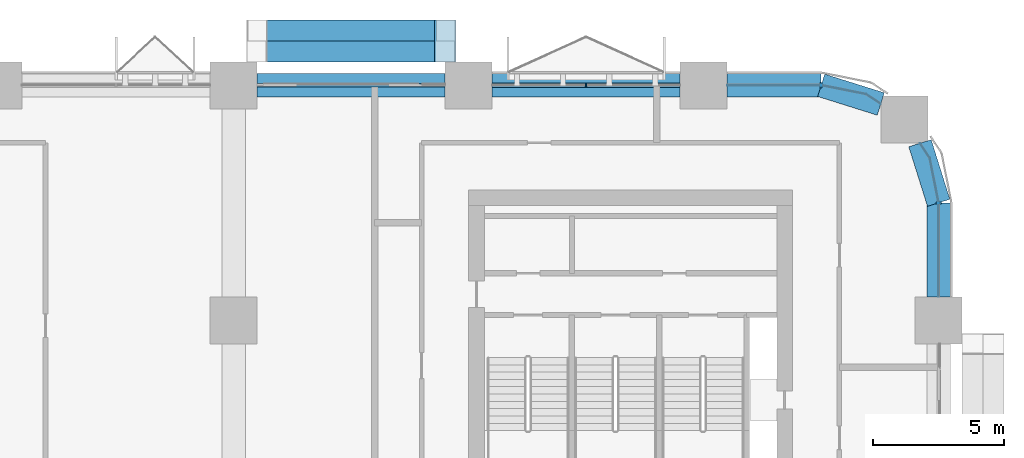
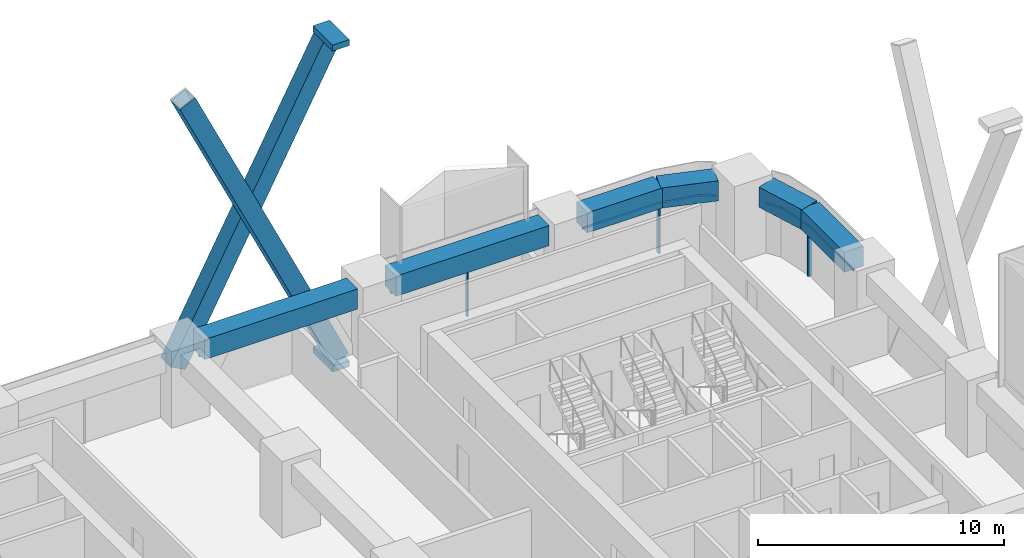
# One storey, part 10 of 26: 11 members, 6 beams, 4 elements without a shape of their own.
"""IFC4 building model written with IfcOpenShell, lengths in metres."""

from ifc_helpers import new_model, si_unit, direction, frame, origin, origin_2d, place, context, subcontext, project, spatial, polyline, rectangle, hollow_rectangle, outline, extrude, material, layer, layer_set, material_profile, profile_set, type_object, element, aggregate, save


model = new_model("IFC4")

# Units and contexts
model_context = context("Model", 3, precision=1e-05, world=origin(), true_north=direction((0.0, 1.0)))
body_context = subcontext(model_context, "Body", "Model", "MODEL_VIEW")
ifc_project = project(units=[si_unit("LENGTHUNIT", "METRE"), si_unit("AREAUNIT", "SQUARE_METRE"), si_unit("VOLUMEUNIT", "CUBIC_METRE"), si_unit("PLANEANGLEUNIT", "RADIAN"), si_unit("MASSUNIT", "GRAM", prefix="KILO")], contexts=[model_context])

# Site, building, storey
site_placement = place(None, origin())
site = spatial("IfcSite", under=ifc_project, at=site_placement, CompositionType="ELEMENT")
building_placement = place(site_placement, origin())
building = spatial("IfcBuilding", under=site, at=building_placement, Name="Tessera Arch", CompositionType="ELEMENT")
storey_placement = place(building_placement, frame((0.0, 0.0, 31.0)))
storey = spatial("IfcBuildingStorey", under=building, at=storey_placement, Name="L05", CompositionType="ELEMENT", Elevation=31.0)

# Members
ifc_material_1 = material(Name="Steel A572 Gr50", Category="steel")
ifc_material_profile_1 = material_profile(ifc_material_1, hollow_rectangle(XDim=0.800048828125, YDim=0.800048828125, WallThickness=0.06005859375, at=origin_2d()), Name="BOX 800x800x60")
ifc_profile_set_1 = profile_set([ifc_material_profile_1], Name="Steel A572 Gr50")
member_type_1 = type_object("IfcMemberType", Name="Brace BOX 800x800x60 Steel A572 Gr50", PredefinedType="BRACE", material=ifc_profile_set_1)
member_1_placement = place(storey_placement, frame((35.10009765625, 55.300048828125, -0.800048828125), z_axis=(-0.428096952335, 0.0, 0.903732814167), x_axis=(0.0, -1.0, 0.0)))
element("IfcMember", 1, at=member_1_placement, inside=storey, type_object=member_type_1, Name="Brace N54.0-2 A L05-L08", PredefinedType="BRACE", context=body_context, shape_type="SweptSolid", body=[
    extrude(hollow_rectangle(XDim=0.800048828125, YDim=0.800048828125, WallThickness=0.06005859375, at=origin_2d()), origin(), (0.0, 0.0, 1.0), 16.819091796875),
])
member_2_placement = place(storey_placement, frame((27.89990234375, 56.10009765625, 0.77001953125), z_axis=(0.467095801343, 0.0, 0.884206713596), x_axis=(0.0, 1.0, 0.0)))
element("IfcMember", 2, at=member_2_placement, inside=storey, type_object=member_type_1, Name="Brace N54.0-2 B L05-L08", PredefinedType="BRACE", context=body_context, shape_type="SweptSolid", body=[
    extrude(hollow_rectangle(XDim=0.800048828125, YDim=0.800048828125, WallThickness=0.06005859375, at=origin_2d()), origin(), (0.0, 0.0, 1.0), 15.414794921875),
])

# Curtain wall, members
ifc_material_2 = material(Name="CW1 curtain wall")
curtain_wall_type_1 = type_object("IfcCurtainWallType", Name="CW1 curtain wall", PredefinedType="NOTDEFINED", material=ifc_material_2)
curtain_wall_1_placement = place(storey_placement, origin())
curtain_wall_1 = element("IfcCurtainWall", 3, at=curtain_wall_1_placement, inside=storey, type_object=curtain_wall_type_1, Name="CW1 curtain wall N54.0/1 L05", PredefinedType="NOTDEFINED")
ifc_material_3 = material(Name="Anodised aluminium pale metal", Category="aluminium")
ifc_material_profile_2 = material_profile(ifc_material_3, rectangle(XDim=0.159912109375, YDim=0.06005859375, at=origin_2d()), Name="AL 60x160")
ifc_profile_set_2 = profile_set([ifc_material_profile_2], Name="Anodised aluminium pale metal")
member_type_2 = type_object("IfcMemberType", Name="CW1 mullion", PredefinedType="MULLION", material=ifc_profile_set_2)
member_3_placement = place(storey_placement, frame((40.5, 54.0, 0.0), z_axis=(0.0, 0.0, 1.0), x_axis=(0.0, -1.0, 0.0)))
member_3 = element("IfcMember", 4, at=member_3_placement, type_object=member_type_2, Name="CW1 mullion N54.0/1 1", PredefinedType="MULLION", context=body_context, shape_type="SweptSolid", body=[
    extrude(rectangle(XDim=0.159912109375, YDim=0.06005859375, at=origin_2d()), origin(), (0.0, 0.0, 1.0), 2.39990234375),
])
ifc_material_4 = material(Name="Anodised aluminium pale metal", Category="aluminium")
ifc_material_profile_3 = material_profile(ifc_material_4, rectangle(XDim=0.159912109375, YDim=0.10009765625, at=origin_2d()), Name="AL 160x100")
ifc_profile_set_3 = profile_set([ifc_material_profile_3], Name="Anodised aluminium pale metal")
member_type_3 = type_object("IfcMemberType", Name="CW1 transom", PredefinedType="USERDEFINED", material=ifc_profile_set_3)
member_4_placement = place(storey_placement, frame((44.10009765625, 54.0, 2.449951171875), z_axis=(-1.0, 0.0, 0.0), x_axis=(0.0, -1.0, 0.0)))
member_4 = element("IfcMember", 5, at=member_4_placement, type_object=member_type_3, Name="CW1 transom N54.0/1 1.1", ObjectType="TRANSOM", PredefinedType="USERDEFINED", context=body_context, shape_type="SweptSolid", body=[
    extrude(rectangle(XDim=0.159912109375, YDim=0.10009765625, at=origin_2d()), origin(), (0.0, 0.0, 1.0), 7.2001953125),
])
aggregate(curtain_wall_1, [member_3, member_4])

# Curtain wall, member
ifc_material_5 = material(Name="CW2 curtain wall")
curtain_wall_type_2 = type_object("IfcCurtainWallType", Name="CW2 curtain wall", PredefinedType="NOTDEFINED", material=ifc_material_5)
curtain_wall_2_placement = place(storey_placement, origin())
curtain_wall_2 = element("IfcCurtainWall", 6, at=curtain_wall_2_placement, inside=storey, type_object=curtain_wall_type_2, Name="CW2 curtain wall E54.0/5 L05", PredefinedType="NOTDEFINED")
ifc_material_6 = material(Name="Anodised aluminium pale metal", Category="aluminium")
ifc_material_profile_4 = material_profile(ifc_material_6, rectangle(XDim=0.199951171875, YDim=0.080078125, at=origin_2d()), Name="AL 80x200")
ifc_profile_set_4 = profile_set([ifc_material_profile_4], Name="Anodised aluminium pale metal")
member_type_4 = type_object("IfcMemberType", Name="CW2 mullion", PredefinedType="MULLION", material=ifc_profile_set_4)
member_5_placement = place(storey_placement, frame((54.0, 49.5, 0.0), z_axis=(0.0, 0.0, 1.0), x_axis=(-1.0, 0.0, 0.0)))
member_5 = element("IfcMember", 7, at=member_5_placement, type_object=member_type_4, Name="CW2 mullion E54.0/5 1", PredefinedType="MULLION", context=body_context, shape_type="SweptSolid", body=[
    extrude(rectangle(XDim=0.199951171875, YDim=0.080078125, at=origin_2d()), origin(), (0.0, 0.0, 1.0), 2.39990234375),
])

curtain_wall_3_placement = place(storey_placement, origin())
curtain_wall_3 = element("IfcCurtainWall", 8, at=curtain_wall_3_placement, inside=storey, type_object=curtain_wall_type_2, Name="CW2 curtain wall N54.0/0 L05", PredefinedType="NOTDEFINED")
member_6_placement = place(storey_placement, frame((49.5, 54.0, 0.0), z_axis=(0.0, 0.0, 1.0), x_axis=(0.0, -1.0, 0.0)))
member_6 = element("IfcMember", 9, at=member_6_placement, type_object=member_type_4, Name="CW2 mullion N54.0/0 1", PredefinedType="MULLION", context=body_context, shape_type="SweptSolid", body=[
    extrude(rectangle(XDim=0.199951171875, YDim=0.080078125, at=origin_2d()), origin(), (0.0, 0.0, 1.0), 2.39990234375),
])

# Member
ifc_material_7 = material(Name="Anodised aluminium pale metal", Category="aluminium")
ifc_material_profile_5 = material_profile(ifc_material_7, rectangle(XDim=0.199951171875, YDim=0.10009765625, at=origin_2d()), Name="AL 200x100")
ifc_profile_set_5 = profile_set([ifc_material_profile_5], Name="Anodised aluminium pale metal")
member_type_5 = type_object("IfcMemberType", Name="CW2 transom", PredefinedType="USERDEFINED", material=ifc_profile_set_5)
member_7_placement = place(storey_placement, frame((0.0, 0.0, 2.39990234375)))
member_7 = element("IfcMember", 10, at=member_7_placement, type_object=member_type_5, Name="CW2 transom E54.0/5 1", ObjectType="TRANSOM", PredefinedType="USERDEFINED", context=body_context, shape_type="SweptSolid", body=[
    extrude(outline(polyline([(53.989990234375, 49.4990234375), (53.989990234375, 45.89990234375), (54.010009765625, 45.89990234375), (54.010009765625, 49.5009765625), (53.6669921875, 51.22607421875), (53.29150390625, 51.78759765625), (53.27490234375, 51.7763671875), (53.648193359375, 51.21826171875), (53.989990234375, 49.4990234375)])), origin(), (0.0, 0.0, 1.0), 0.10009765625),
])

aggregate(curtain_wall_2, [member_5, member_7])

member_8_placement = place(storey_placement, frame((0.0, 0.0, 2.39990234375)))
member_8 = element("IfcMember", 11, at=member_8_placement, type_object=member_type_5, Name="CW2 transom N54.0/0 1", ObjectType="TRANSOM", PredefinedType="USERDEFINED", context=body_context, shape_type="SweptSolid", body=[
    extrude(outline(polyline([(51.21826171875, 53.648193359375), (51.7763671875, 53.27490234375), (51.78759765625, 53.29150390625), (51.22607421875, 53.6669921875), (49.5009765625, 54.010009765625), (45.89990234375, 54.010009765625), (45.89990234375, 53.989990234375), (49.4990234375, 53.989990234375), (51.21826171875, 53.648193359375)])), origin(), (0.0, 0.0, 1.0), 0.10009765625),
])

aggregate(curtain_wall_3, [member_6, member_8])

# Curtain wall, member
ifc_material_8 = material(Name="CW3 curtain wall")
curtain_wall_type_3 = type_object("IfcCurtainWallType", Name="CW3 curtain wall", PredefinedType="NOTDEFINED", material=ifc_material_8)
curtain_wall_4_placement = place(storey_placement, origin())
curtain_wall_4 = element("IfcCurtainWall", 12, at=curtain_wall_4_placement, inside=storey, type_object=curtain_wall_type_3, Name="CW3 curtain wall N54.0/2 L05", PredefinedType="NOTDEFINED")
ifc_material_9 = material(Name="Anodised aluminium pale metal", Category="aluminium")
ifc_material_profile_6 = material_profile(ifc_material_9, rectangle(XDim=0.139892578125, YDim=0.10009765625, at=origin_2d()), Name="AL 140x100")
ifc_profile_set_6 = profile_set([ifc_material_profile_6], Name="Anodised aluminium pale metal")
member_type_6 = type_object("IfcMemberType", Name="CW3 transom", PredefinedType="USERDEFINED", material=ifc_profile_set_6)
member_9_placement = place(storey_placement, frame((35.10009765625, 54.0, 2.449951171875), z_axis=(-1.0, 0.0, 0.0), x_axis=(0.0, -1.0, 0.0)))
member_9 = element("IfcMember", 13, at=member_9_placement, type_object=member_type_6, Name="CW3 transom N54.0/2 1.1", ObjectType="TRANSOM", PredefinedType="USERDEFINED", context=body_context, shape_type="SweptSolid", body=[
    extrude(rectangle(XDim=0.139892578125, YDim=0.10009765625, at=origin_2d()), origin(), (0.0, 0.0, 1.0), 7.2001953125),
])
aggregate(curtain_wall_4, [member_9])

# Members
ifc_material_10 = material(Name="Steel A572 Gr50", Category="steel")
ifc_layer = layer(ifc_material_10, 0.050048828125)
ifc_layer_set = layer_set([ifc_layer], Name="Node block Steel A572 Gr50")
member_type_7 = type_object("IfcMemberType", Name="Node block Steel A572 Gr50", PredefinedType="PLATE", material=ifc_layer_set)
for number, where, z_axis, x_axis, name in (
    (14, (35.10009765625, 55.699951171875, -1.31640625), (0.0, 0.0, 1.0), (-1.0, 0.0, 0.0), "Node block seat N54.0-2 2 L05"),
    (15, (35.10009765625, 55.699951171875, 14.630859375), (0.0, 0.0, 1.0), (-1.0, 0.0, 0.0), "Node block head N54.0-2 B L05"),
):
    element("IfcMember", number, at=place(storey_placement, frame(where, z_axis=z_axis, x_axis=x_axis)), inside=storey, type_object=member_type_7, Name=name, PredefinedType="PLATE", context=body_context, shape_type="SweptSolid", body=[
        extrude(rectangle(XDim=0.800048828125, YDim=1.60009765625, at=origin_2d()), origin(), (0.0, 0.0, 1.0), 0.300048828125),
    ])

# Beams
ifc_material_11 = material(Name="Concrete C80/95", Category="concrete")
ifc_material_profile_7 = material_profile(ifc_material_11, rectangle(XDim=0.89990234375, YDim=1.0, at=origin_2d()), Name="RC spandrel beam 900 x 1000 Concrete C80/95")
ifc_profile_set_7 = profile_set([ifc_material_profile_7], Name="Concrete C80/95")
beam_type = type_object("IfcBeamType", Name="RC spandrel beam 900 x 1000 Concrete C80/95", PredefinedType="BEAM", material=ifc_profile_set_7)
beam_1_placement = place(storey_placement, frame((54.0, 45.89990234375, 3.0), z_axis=(0.0, 1.0, 0.0), x_axis=(-1.0, 0.0, 0.0)))
element("IfcBeam", 16, at=beam_1_placement, inside=storey, type_object=beam_type, Name="Spandrel beam L05 E54.0/5.1", PredefinedType="BEAM", context=body_context, shape_type="SweptSolid", body=[
    extrude(rectangle(XDim=0.89990234375, YDim=1.0, at=origin_2d()), origin(), (0.0, 0.0, 1.0), 3.60009765625),
])
for number, where, z_axis, x_axis, name in (
    (17, (54.0, 49.5, 3.0), (-0.299675309057, 0.954041251279, 0.0), (-0.954041251279, -0.299675309057, 0.0), "Spandrel beam L05 E54.0/5.2"),
    (18, (51.781982421875, 53.283203125, 3.0), (-0.954041251279, 0.299675309057, 0.0), (-0.299675309057, -0.954041251279, 0.0), "Spandrel beam L05 N54.0/0.1"),
):
    element("IfcBeam", number, at=place(storey_placement, frame(where, z_axis=z_axis, x_axis=x_axis)), inside=storey, type_object=beam_type, Name=name, PredefinedType="BEAM", context=body_context, shape_type="SweptSolid", body=[
        extrude(rectangle(XDim=0.89990234375, YDim=1.0, at=origin_2d()), origin(), (0.0, 0.0, 1.0), 2.391845703125),
    ])
beam_2_placement = place(storey_placement, frame((49.5, 54.0, 3.0), z_axis=(-1.0, 0.0, 0.0), x_axis=(0.0, -1.0, 0.0)))
element("IfcBeam", 19, at=beam_2_placement, inside=storey, type_object=beam_type, Name="Spandrel beam L05 N54.0/0.2", PredefinedType="BEAM", context=body_context, shape_type="SweptSolid", body=[
    extrude(rectangle(XDim=0.89990234375, YDim=1.0, at=origin_2d()), origin(), (0.0, 0.0, 1.0), 3.60009765625),
])
for number, where, z_axis, x_axis, name in (
    (20, (44.10009765625, 54.0, 3.0), (-1.0, 0.0, 0.0), (0.0, -1.0, 0.0), "Spandrel beam L05 N54.0/1"),
    (21, (35.10009765625, 54.0, 3.0), (-1.0, 0.0, 0.0), (0.0, -1.0, 0.0), "Spandrel beam L05 N54.0/2"),
):
    element("IfcBeam", number, at=place(storey_placement, frame(where, z_axis=z_axis, x_axis=x_axis)), inside=storey, type_object=beam_type, Name=name, PredefinedType="BEAM", context=body_context, shape_type="SweptSolid", body=[
        extrude(rectangle(XDim=0.89990234375, YDim=1.0, at=origin_2d()), origin(), (0.0, 0.0, 1.0), 7.2001953125),
    ])

save(model, "model.ifc")
